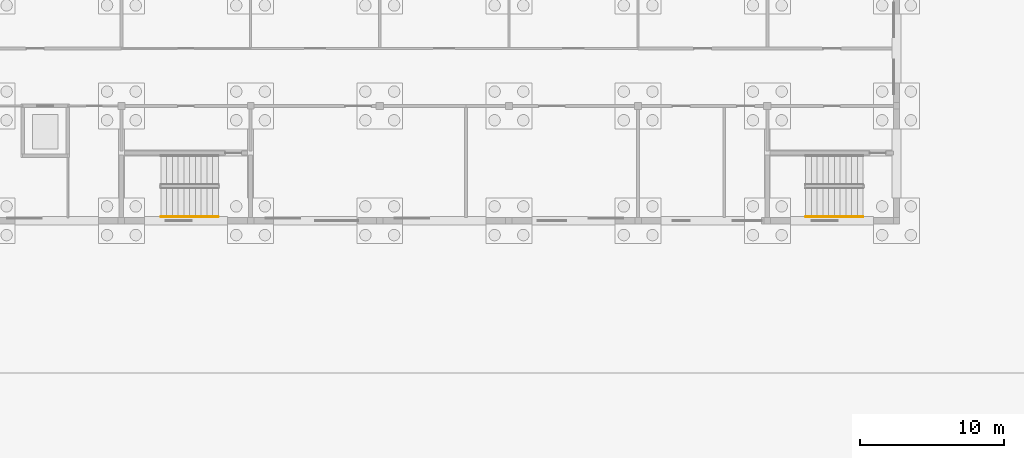
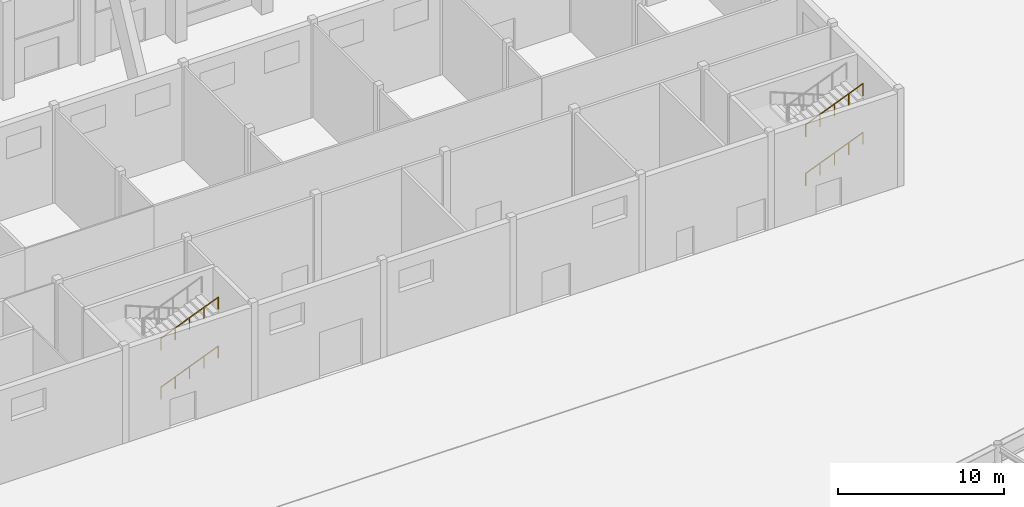
# One storey, part 209 of 239: 4 railings.
"""IFC4 building model written with IfcOpenShell, lengths in metres."""

from ifc_helpers import new_model, si_unit, direction, frame, origin, origin_2d, place, context, subcontext, project, spatial, circle, extrude, material, type_object, element, save


model = new_model("IFC4")

# Units and contexts
model_context = context("Model", 3, precision=1e-05, world=origin(), true_north=direction((0.0, 1.0)))
body_context = subcontext(model_context, "Body", "Model", "MODEL_VIEW")
ifc_project = project(units=[si_unit("LENGTHUNIT", "METRE"), si_unit("AREAUNIT", "SQUARE_METRE"), si_unit("VOLUMEUNIT", "CUBIC_METRE"), si_unit("PLANEANGLEUNIT", "RADIAN"), si_unit("MASSUNIT", "GRAM", prefix="KILO")], contexts=[model_context])

# Site, building, storey
site_placement = place(None, origin())
site = spatial("IfcSite", under=ifc_project, at=site_placement, CompositionType="ELEMENT")
building_placement = place(site_placement, origin())
building = spatial("IfcBuilding", under=site, at=building_placement, Name="Okhra Congress Centre", CompositionType="ELEMENT")
storey_placement = place(building_placement, origin())
storey = spatial("IfcBuildingStorey", under=building, at=storey_placement, Name="L00", CompositionType="ELEMENT", Elevation=0.0)

# Railings
ifc_material = material(Name="Painted steel tube handrail on wall brackets", Category="steel")
railing_type = type_object("IfcRailingType", Name="Steel handrail 900", PredefinedType="HANDRAIL", material=ifc_material)
railing_1_placement = place(storey_placement, frame((66.75, 96.27490234375, 1.963623046875)))
element("IfcRailing", 1, at=railing_1_placement, inside=storey, type_object=railing_type, Name="L00 B stair handrail 2", PredefinedType="HANDRAIL", context=body_context, shape_type="SweptSolid", body=[
    extrude(circle(Radius=0.02392578125, at=origin_2d()), frame((0.0, 0.0, 0.8759765625), z_axis=(0.925537957481, 0.0, 0.378654841858), x_axis=(0.0, 1.0, 0.0)), (0.0, 0.0, 1.0), 4.32177734375),
    extrude(circle(Radius=0.02099609375, at=origin_2d()), origin(), (0.0, 0.0, 1.0), 0.851806640625),
    extrude(circle(Radius=0.02099609375, at=origin_2d()), frame((1.0, 0.0, 0.4091796875)), (0.0, 0.0, 1.0), 0.851806640625),
    extrude(circle(Radius=0.02099609375, at=origin_2d()), frame((2.0, 0.0, 0.818359375)), (0.0, 0.0, 1.0), 0.851806640625),
    extrude(circle(Radius=0.02099609375, at=origin_2d()), frame((3.0, 0.0, 1.227294921875)), (0.0, 0.0, 1.0), 0.851806640625),
    extrude(circle(Radius=0.02099609375, at=origin_2d()), frame((4.0, 0.0, 1.636474609375)), (0.0, 0.0, 1.0), 0.851806640625),
])
railing_2_placement = place(storey_placement, frame((66.75, 96.27490234375, 5.563720703125)))
element("IfcRailing", 2, at=railing_2_placement, inside=storey, type_object=railing_type, Name="L00 B stair handrail 4", PredefinedType="HANDRAIL", context=body_context, shape_type="SweptSolid", body=[
    extrude(circle(Radius=0.02392578125, at=origin_2d()), frame((0.0, 0.0, 0.8759765625), z_axis=(0.925557754216, 0.0, 0.378606449509), x_axis=(0.0, 1.0, 0.0)), (0.0, 0.0, 1.0), 4.32177734375),
    extrude(circle(Radius=0.02099609375, at=origin_2d()), origin(), (0.0, 0.0, 1.0), 0.851806640625),
    extrude(circle(Radius=0.02099609375, at=origin_2d()), frame((1.0, 0.0, 0.4091796875)), (0.0, 0.0, 1.0), 0.851806640625),
    extrude(circle(Radius=0.02099609375, at=origin_2d()), frame((2.0, 0.0, 0.818115234375)), (0.0, 0.0, 1.0), 0.851806640625),
    extrude(circle(Radius=0.02099609375, at=origin_2d()), frame((3.0, 0.0, 1.22705078125)), (0.0, 0.0, 1.0), 0.851806640625),
    extrude(circle(Radius=0.02099609375, at=origin_2d()), frame((4.0, 0.0, 1.63623046875)), (0.0, 0.0, 1.0), 0.851806640625),
])
railing_3_placement = place(storey_placement, frame((111.675048828125, 96.27490234375, 1.963623046875)))
element("IfcRailing", 3, at=railing_3_placement, inside=storey, type_object=railing_type, Name="L00 C stair handrail 2", PredefinedType="HANDRAIL", context=body_context, shape_type="SweptSolid", body=[
    extrude(circle(Radius=0.02392578125, at=origin_2d()), frame((0.0, 0.0, 0.8759765625), z_axis=(0.925537957481, 0.0, 0.378654841858), x_axis=(0.0, 1.0, 0.0)), (0.0, 0.0, 1.0), 4.32177734375),
    extrude(circle(Radius=0.02099609375, at=origin_2d()), origin(), (0.0, 0.0, 1.0), 0.851806640625),
    extrude(circle(Radius=0.02099609375, at=origin_2d()), frame((1.0, 0.0, 0.4091796875)), (0.0, 0.0, 1.0), 0.851806640625),
    extrude(circle(Radius=0.02099609375, at=origin_2d()), frame((2.0, 0.0, 0.818359375)), (0.0, 0.0, 1.0), 0.851806640625),
    extrude(circle(Radius=0.02099609375, at=origin_2d()), frame((3.0, 0.0, 1.227294921875)), (0.0, 0.0, 1.0), 0.851806640625),
    extrude(circle(Radius=0.02099609375, at=origin_2d()), frame((4.0, 0.0, 1.636474609375)), (0.0, 0.0, 1.0), 0.851806640625),
])
railing_4_placement = place(storey_placement, frame((111.675048828125, 96.27490234375, 5.563720703125)))
element("IfcRailing", 4, at=railing_4_placement, inside=storey, type_object=railing_type, Name="L00 C stair handrail 4", PredefinedType="HANDRAIL", context=body_context, shape_type="SweptSolid", body=[
    extrude(circle(Radius=0.02392578125, at=origin_2d()), frame((0.0, 0.0, 0.8759765625), z_axis=(0.925557754216, 0.0, 0.378606449509), x_axis=(0.0, 1.0, 0.0)), (0.0, 0.0, 1.0), 4.32177734375),
    extrude(circle(Radius=0.02099609375, at=origin_2d()), origin(), (0.0, 0.0, 1.0), 0.851806640625),
    extrude(circle(Radius=0.02099609375, at=origin_2d()), frame((1.0, 0.0, 0.4091796875)), (0.0, 0.0, 1.0), 0.851806640625),
    extrude(circle(Radius=0.02099609375, at=origin_2d()), frame((2.0, 0.0, 0.818115234375)), (0.0, 0.0, 1.0), 0.851806640625),
    extrude(circle(Radius=0.02099609375, at=origin_2d()), frame((3.0, 0.0, 1.22705078125)), (0.0, 0.0, 1.0), 0.851806640625),
    extrude(circle(Radius=0.02099609375, at=origin_2d()), frame((4.0, 0.0, 1.63623046875)), (0.0, 0.0, 1.0), 0.851806640625),
])

save(model, "model.ifc")
